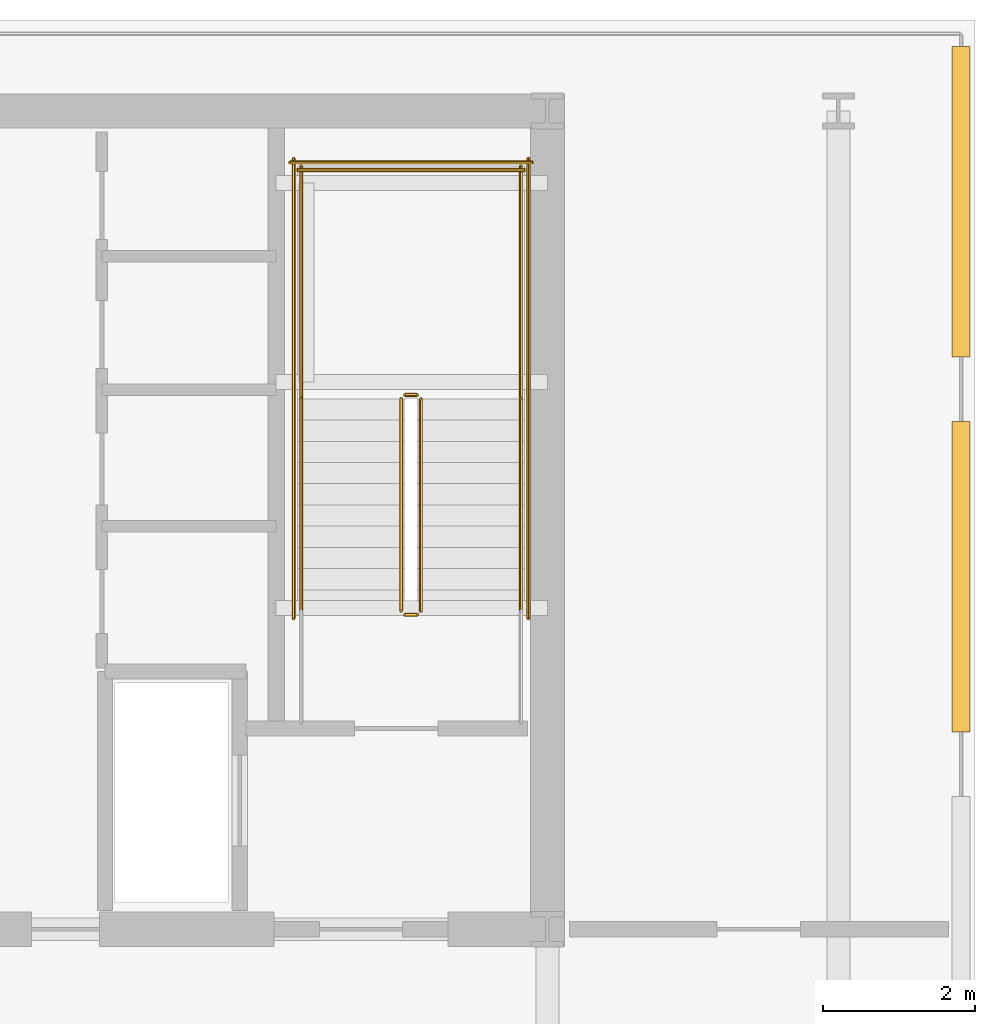
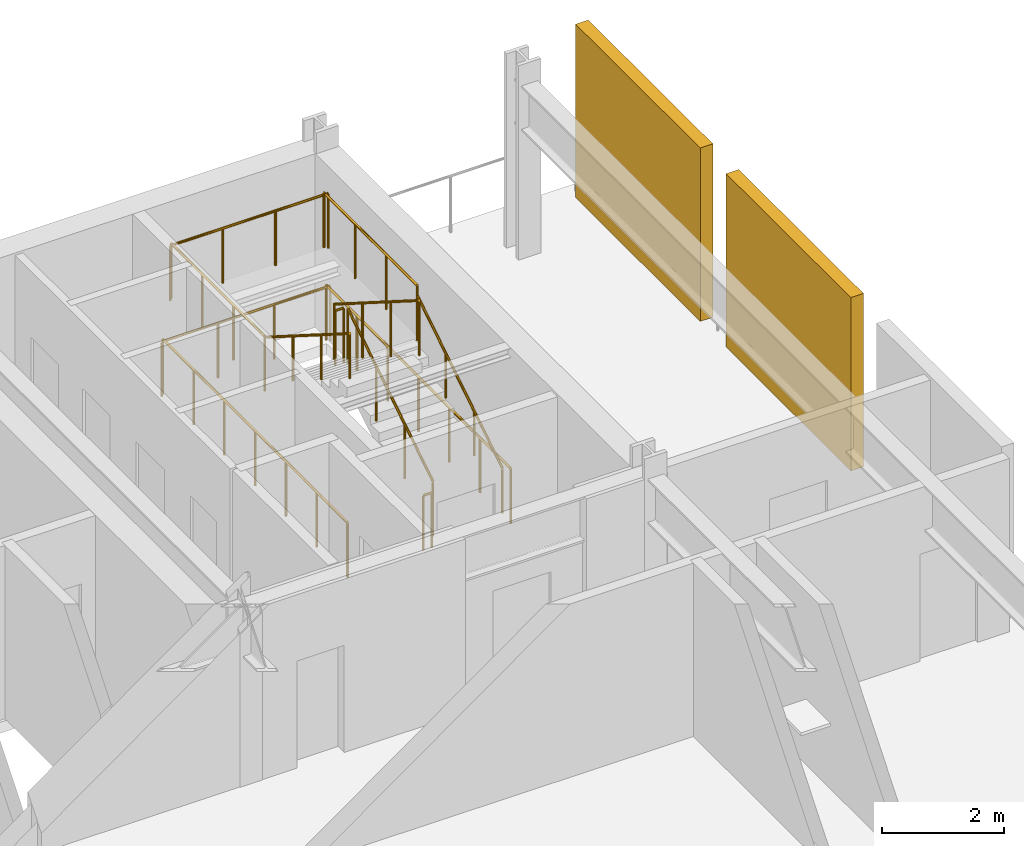
# One storey, part 7 of 7: 12 railings, 2 shading devices.
"""IFC4 building model written with IfcOpenShell, lengths in metres."""

from ifc_helpers import new_model, si_unit, direction, frame, origin, origin_2d, place, context, subcontext, project, spatial, rectangle, circle, extrude, material, layer, layer_set, type_object, element, save


model = new_model("IFC4")

# Units and contexts
model_context = context("Model", 3, precision=1e-05, world=origin(), true_north=direction((0.0, 1.0)))
body_context = subcontext(model_context, "Body", "Model", "MODEL_VIEW")
ifc_project = project(units=[si_unit("LENGTHUNIT", "METRE"), si_unit("AREAUNIT", "SQUARE_METRE"), si_unit("VOLUMEUNIT", "CUBIC_METRE"), si_unit("PLANEANGLEUNIT", "RADIAN"), si_unit("MASSUNIT", "GRAM", prefix="KILO")], contexts=[model_context])

# Site, building, storey
site_placement = place(None, origin())
site = spatial("IfcSite", under=ifc_project, at=site_placement, CompositionType="ELEMENT")
building_placement = place(site_placement, origin())
building = spatial("IfcBuilding", under=site, at=building_placement, Name="Yelkora Congress Tower", CompositionType="ELEMENT")
storey_placement = place(building_placement, frame((0.0, 0.0, 141.199951171875)))
storey = spatial("IfcBuildingStorey", under=building, at=storey_placement, Name="L38", CompositionType="ELEMENT", Elevation=141.199951171875)

# Railings
ifc_material_1 = material(Name="Painted galvanised steel stair well guard with vertical infill", Category="steel")
ifc_layer_1 = layer(ifc_material_1, 0.06005859375)
ifc_layer_set_1 = layer_set([ifc_layer_1], Name="Painted galvanised steel stair well guard with vertical infill")
railing_type_1 = type_object("IfcRailingType", Name="RAIL-STAIR-GUARD-1120", PredefinedType="GUARDRAIL", material=ifc_layer_set_1)
railing_1_placement = place(storey_placement, frame((52.090087890625, 39.60009765625, 0.17724609375)))
element("IfcRailing", 1, at=railing_1_placement, inside=storey, type_object=railing_type_1, Name="ST-02 L38 Stair Well Guardrail 1", PredefinedType="GUARDRAIL", context=body_context, shape_type="SweptSolid", body=[
    extrude(circle(Radius=0.02392578125, at=origin_2d()), frame((0.0, 0.0, 1.09619140625), z_axis=(0.0, 0.844887892834, 0.53494340686), x_axis=(-1.0, 0.0, 0.0)), (0.0, 0.0, 1.0), 3.313720703125),
    extrude(circle(Radius=0.02099609375, at=origin_2d()), origin(), (0.0, 0.0, 1.0), 1.072021484375),
    extrude(circle(Radius=0.02099609375, at=origin_2d()), frame((0.0, 0.933349609375, 0.5908203125)), (0.0, 0.0, 1.0), 1.072021484375),
    extrude(circle(Radius=0.02099609375, at=origin_2d()), frame((0.0, 1.866455078125, 1.181884765625)), (0.0, 0.0, 1.0), 1.072021484375),
    extrude(circle(Radius=0.02099609375, at=origin_2d()), frame((0.0, 2.7998046875, 1.772705078125)), (0.0, 0.0, 1.0), 1.072021484375),
])
railing_2_placement = place(storey_placement, frame((52.0400390625, 42.449951171875, 1.949951171875)))
element("IfcRailing", 2, at=railing_2_placement, inside=storey, type_object=railing_type_1, Name="ST-02 L38 Stair Well Guardrail 2", PredefinedType="GUARDRAIL", context=body_context, shape_type="SweptSolid", body=[
    extrude(circle(Radius=0.02392578125, at=origin_2d()), frame((0.0, 0.0, 1.09619140625), z_axis=(-1.0, 0.0, 0.0), x_axis=(0.0, -1.0, 0.0)), (0.0, 0.0, 1.0), 0.16015625),
    extrude(circle(Radius=0.02099609375, at=origin_2d()), origin(), (0.0, 0.0, 1.0), 1.072021484375),
    extrude(circle(Radius=0.02099609375, at=origin_2d()), frame((-0.16015625, 0.0, 0.0)), (0.0, 0.0, 1.0), 1.072021484375),
])
for number, where, name in (
    (3, (53.409912109375, 42.39990234375, 1.949951171875), "ST-02 L38 Stair Well Guardrail 3"),
    (4, (50.510009765625, 42.39990234375, 1.949951171875), "ST-02 L38 Stair Well Guardrail 4"),
):
    element("IfcRailing", number, at=place(storey_placement, frame(where)), inside=storey, type_object=railing_type_1, Name=name, PredefinedType="GUARDRAIL", context=body_context, shape_type="SweptSolid", body=[
        extrude(circle(Radius=0.02392578125, at=origin_2d()), frame((0.0, 0.0, 1.09619140625), z_axis=(0.0, 1.0, 0.0), x_axis=(-1.0, 0.0, 0.0)), (0.0, 0.0, 1.0), 3.070068359375),
        extrude(circle(Radius=0.02099609375, at=origin_2d()), origin(), (0.0, 0.0, 1.0), 1.072021484375),
        extrude(circle(Radius=0.02099609375, at=origin_2d()), frame((0.0, 1.0234375, 0.0)), (0.0, 0.0, 1.0), 1.072021484375),
        extrude(circle(Radius=0.02099609375, at=origin_2d()), frame((0.0, 2.046630859375, 0.0)), (0.0, 0.0, 1.0), 1.072021484375),
        extrude(circle(Radius=0.02099609375, at=origin_2d()), frame((0.0, 3.070068359375, 0.0)), (0.0, 0.0, 1.0), 1.072021484375),
    ])
railing_3_placement = place(storey_placement, frame((53.4599609375, 45.419921875, 1.949951171875)))
element("IfcRailing", 5, at=railing_3_placement, inside=storey, type_object=railing_type_1, Name="ST-02 L38 Stair Well Guardrail 5", PredefinedType="GUARDRAIL", context=body_context, shape_type="SweptSolid", body=[
    extrude(circle(Radius=0.02392578125, at=origin_2d()), frame((0.0, 0.0, 1.09619140625), z_axis=(-1.0, 0.0, 0.0), x_axis=(0.0, -1.0, 0.0)), (0.0, 0.0, 1.0), 3.0),
    extrude(circle(Radius=0.02099609375, at=origin_2d()), origin(), (0.0, 0.0, 1.0), 1.072021484375),
    extrude(circle(Radius=0.02099609375, at=origin_2d()), frame((-1.0, 0.0, 0.0)), (0.0, 0.0, 1.0), 1.072021484375),
    extrude(circle(Radius=0.02099609375, at=origin_2d()), frame((-2.0, 0.0, 0.0)), (0.0, 0.0, 1.0), 1.072021484375),
    extrude(circle(Radius=0.02099609375, at=origin_2d()), frame((-3.0, 0.0, 0.0)), (0.0, 0.0, 1.0), 1.072021484375),
])
railing_4_placement = place(storey_placement, frame((51.830078125, 42.39990234375, 2.12744140625)))
element("IfcRailing", 6, at=railing_4_placement, inside=storey, type_object=railing_type_1, Name="ST-02 L38 Stair Well Guardrail 6", PredefinedType="GUARDRAIL", context=body_context, shape_type="SweptSolid", body=[
    extrude(circle(Radius=0.02392578125, at=origin_2d()), frame((0.0, 0.0, 1.09619140625), z_axis=(0.0, -0.844887892834, 0.53494340686), x_axis=(1.0, 0.0, 0.0)), (0.0, 0.0, 1.0), 3.313720703125),
    extrude(circle(Radius=0.02099609375, at=origin_2d()), origin(), (0.0, 0.0, 1.0), 1.072021484375),
    extrude(circle(Radius=0.02099609375, at=origin_2d()), frame((0.0, -0.933349609375, 0.5908203125)), (0.0, 0.0, 1.0), 1.072021484375),
    extrude(circle(Radius=0.02099609375, at=origin_2d()), frame((0.0, -1.866455078125, 1.181884765625)), (0.0, 0.0, 1.0), 1.072021484375),
    extrude(circle(Radius=0.02099609375, at=origin_2d()), frame((0.0, -2.7998046875, 1.772705078125)), (0.0, 0.0, 1.0), 1.072021484375),
])
railing_5_placement = place(storey_placement, frame((52.0400390625, 39.550048828125, 0.0)))
element("IfcRailing", 7, at=railing_5_placement, inside=storey, type_object=railing_type_1, Name="ST-02 L38 Stair Well Guardrail 7", PredefinedType="GUARDRAIL", context=body_context, shape_type="SweptSolid", body=[
    extrude(circle(Radius=0.02392578125, at=origin_2d()), frame((0.0, 0.0, 1.09619140625), z_axis=(-1.0, 0.0, 0.0), x_axis=(0.0, -1.0, 0.0)), (0.0, 0.0, 1.0), 0.16015625),
    extrude(circle(Radius=0.02099609375, at=origin_2d()), origin(), (0.0, 0.0, 1.0), 1.072021484375),
    extrude(circle(Radius=0.02099609375, at=origin_2d()), frame((-0.16015625, 0.0, 0.0)), (0.0, 0.0, 1.0), 1.072021484375),
])
for number, where, name in (
    (8, (53.510009765625, 39.5, 0.0), "ST-02 L38 Stair Well Guardrail 10"),
    (9, (50.409912109375, 39.5, 0.0), "ST-02 L38 Stair Well Guardrail 11"),
):
    element("IfcRailing", number, at=place(storey_placement, frame(where)), inside=storey, type_object=railing_type_1, Name=name, PredefinedType="GUARDRAIL", context=body_context, shape_type="SweptSolid", body=[
        extrude(circle(Radius=0.02392578125, at=origin_2d()), frame((0.0, 0.0, 1.09619140625), z_axis=(0.0, 1.0, 0.0), x_axis=(-1.0, 0.0, 0.0)), (0.0, 0.0, 1.0), 6.070068359375),
        extrude(circle(Radius=0.02099609375, at=origin_2d()), origin(), (0.0, 0.0, 1.0), 1.072021484375),
        extrude(circle(Radius=0.02099609375, at=origin_2d()), frame((0.0, 1.01171875, 0.0)), (0.0, 0.0, 1.0), 1.072021484375),
        extrude(circle(Radius=0.02099609375, at=origin_2d()), frame((0.0, 2.0234375, 0.0)), (0.0, 0.0, 1.0), 1.072021484375),
        extrude(circle(Radius=0.02099609375, at=origin_2d()), frame((0.0, 3.03515625, 0.0)), (0.0, 0.0, 1.0), 1.072021484375),
        extrude(circle(Radius=0.02099609375, at=origin_2d()), frame((0.0, 4.046630859375, 0.0)), (0.0, 0.0, 1.0), 1.072021484375),
        extrude(circle(Radius=0.02099609375, at=origin_2d()), frame((0.0, 5.058349609375, 0.0)), (0.0, 0.0, 1.0), 1.072021484375),
        extrude(circle(Radius=0.02099609375, at=origin_2d()), frame((0.0, 6.070068359375, 0.0)), (0.0, 0.0, 1.0), 1.072021484375),
    ])
railing_6_placement = place(storey_placement, frame((53.56005859375, 45.52001953125, 0.0)))
element("IfcRailing", 10, at=railing_6_placement, inside=storey, type_object=railing_type_1, Name="ST-02 L38 Stair Well Guardrail 12", PredefinedType="GUARDRAIL", context=body_context, shape_type="SweptSolid", body=[
    extrude(circle(Radius=0.02392578125, at=origin_2d()), frame((0.0, 0.0, 1.09619140625), z_axis=(-1.0, 0.0, 0.0), x_axis=(0.0, -1.0, 0.0)), (0.0, 0.0, 1.0), 3.199951171875),
    extrude(circle(Radius=0.02099609375, at=origin_2d()), origin(), (0.0, 0.0, 1.0), 1.072021484375),
    extrude(circle(Radius=0.02099609375, at=origin_2d()), frame((-1.066650390625, 0.0, 0.0)), (0.0, 0.0, 1.0), 1.072021484375),
    extrude(circle(Radius=0.02099609375, at=origin_2d()), frame((-2.13330078125, 0.0, 0.0)), (0.0, 0.0, 1.0), 1.072021484375),
    extrude(circle(Radius=0.02099609375, at=origin_2d()), frame((-3.199951171875, 0.0, 0.0)), (0.0, 0.0, 1.0), 1.072021484375),
])
ifc_material_2 = material(Name="Brushed stainless steel tubular handrail", Category="steel")
ifc_layer_2 = layer(ifc_material_2, 0.050048828125)
ifc_layer_set_2 = layer_set([ifc_layer_2], Name="Brushed stainless steel tubular handrail")
railing_type_2 = type_object("IfcRailingType", Name="RAIL-STAIR-HAND-920", PredefinedType="HANDRAIL", material=ifc_layer_set_2)
railing_7_placement = place(storey_placement, frame((53.409912109375, 39.60009765625, 0.17724609375)))
element("IfcRailing", 11, at=railing_7_placement, inside=storey, type_object=railing_type_2, Name="ST-02 L38 Pitch Handrail 1", PredefinedType="HANDRAIL", context=body_context, shape_type="SweptSolid", body=[
    extrude(circle(Radius=0.02392578125, at=origin_2d()), frame((0.0, 0.0, 0.89599609375), z_axis=(0.0, 0.844887892834, 0.53494340686), x_axis=(-1.0, 0.0, 0.0)), (0.0, 0.0, 1.0), 3.313720703125),
    extrude(circle(Radius=0.02099609375, at=origin_2d()), origin(), (0.0, 0.0, 1.0), 0.871826171875),
    extrude(circle(Radius=0.02099609375, at=origin_2d()), frame((0.0, 0.933349609375, 0.5908203125)), (0.0, 0.0, 1.0), 0.871826171875),
    extrude(circle(Radius=0.02099609375, at=origin_2d()), frame((0.0, 1.866455078125, 1.181884765625)), (0.0, 0.0, 1.0), 0.871826171875),
    extrude(circle(Radius=0.02099609375, at=origin_2d()), frame((0.0, 2.7998046875, 1.772705078125)), (0.0, 0.0, 1.0), 0.871826171875),
])
railing_8_placement = place(storey_placement, frame((50.510009765625, 42.39990234375, 2.12744140625)))
element("IfcRailing", 12, at=railing_8_placement, inside=storey, type_object=railing_type_2, Name="ST-02 L38 Pitch Handrail 2", PredefinedType="HANDRAIL", context=body_context, shape_type="SweptSolid", body=[
    extrude(circle(Radius=0.02392578125, at=origin_2d()), frame((0.0, 0.0, 0.89599609375), z_axis=(0.0, -0.844887892834, 0.53494340686), x_axis=(1.0, 0.0, 0.0)), (0.0, 0.0, 1.0), 3.313720703125),
    extrude(circle(Radius=0.02099609375, at=origin_2d()), origin(), (0.0, 0.0, 1.0), 0.871826171875),
    extrude(circle(Radius=0.02099609375, at=origin_2d()), frame((0.0, -0.933349609375, 0.5908203125)), (0.0, 0.0, 1.0), 0.871826171875),
    extrude(circle(Radius=0.02099609375, at=origin_2d()), frame((0.0, -1.866455078125, 1.181884765625)), (0.0, 0.0, 1.0), 0.871826171875),
    extrude(circle(Radius=0.02099609375, at=origin_2d()), frame((0.0, -2.7998046875, 1.772705078125)), (0.0, 0.0, 1.0), 0.871826171875),
])

# Shading devices
ifc_material_3 = material(Name="Perforated anodised aluminium louvre", Category="aluminium")
ifc_layer_3 = layer(ifc_material_3, 3.39990234375)
ifc_layer_set_3 = layer_set([ifc_layer_3], Name="Perforated anodised aluminium louvre")
shading_device_type = type_object("IfcShadingDeviceType", Name="SHD-LOUVRE-WIND", PredefinedType="JALOUSIE", material=ifc_layer_set_3)
for number, where, z_axis, x_axis, name in (
    (13, (59.219970703125, 40.050048828125, 0.0), (0.0, 0.0, 1.0), (1.0, 0.0, 0.0), "L38 Acoustic Wind-Floor Louvre Screen E4"),
    (14, (59.219970703125, 45.0, 0.0), (0.0, 0.0, 1.0), (1.0, 0.0, 0.0), "L38 Acoustic Wind-Floor Louvre Screen E5"),
):
    element("IfcShadingDevice", number, at=place(storey_placement, frame(where, z_axis=z_axis, x_axis=x_axis)), inside=storey, type_object=shading_device_type, Name=name, PredefinedType="JALOUSIE", context=body_context, shape_type="SweptSolid", body=[
        extrude(rectangle(XDim=0.239990234375, YDim=4.10009765625, at=origin_2d()), origin(), (0.0, 0.0, 1.0), 3.47998046875),
    ])

save(model, "model.ifc")
